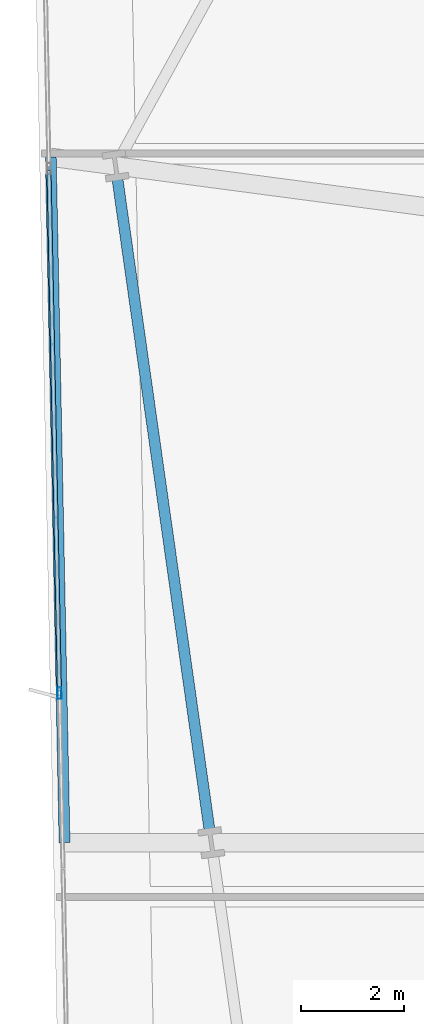
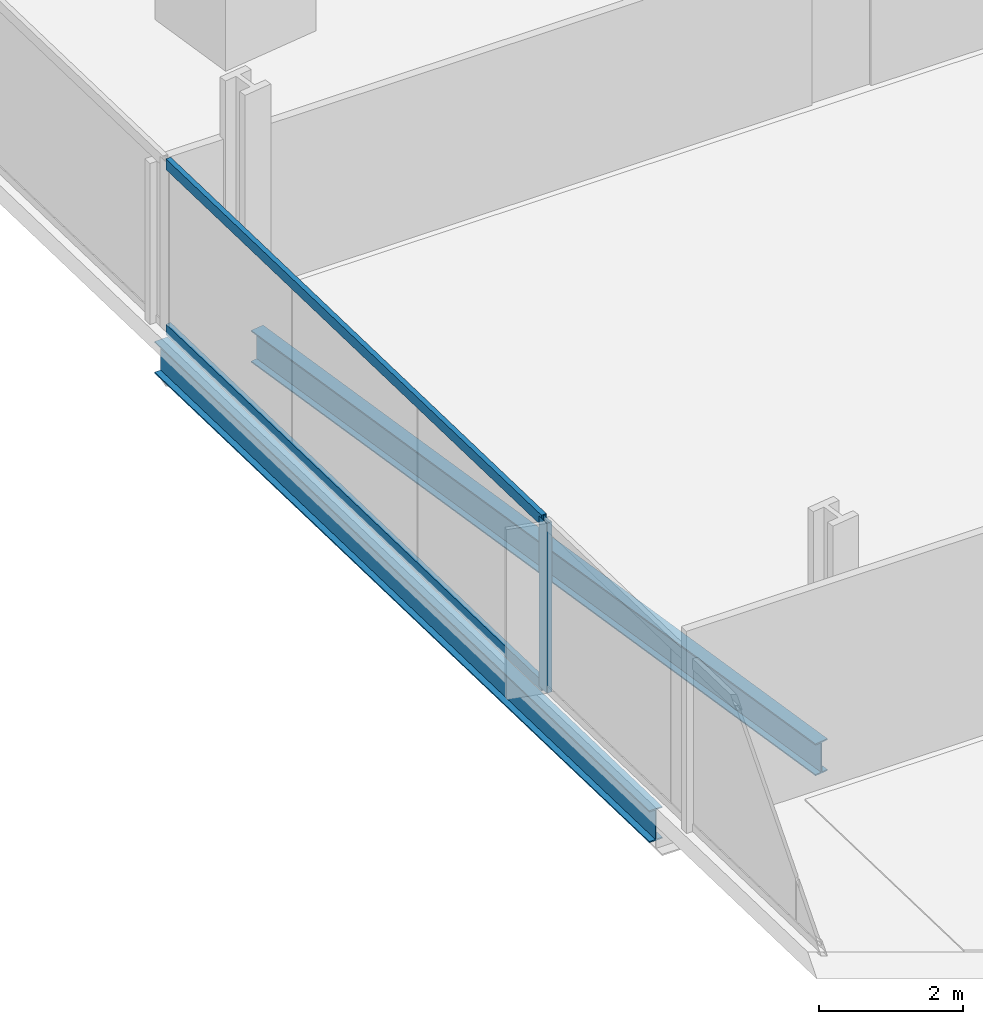
# One storey, part 8 of 35: 3 members, 2 beams, 1 element without a shape of its own.
"""IFC4 building model written with IfcOpenShell, lengths in metres."""

from ifc_helpers import new_model, si_unit, direction, frame, origin, origin_2d, place, context, subcontext, project, spatial, hollow_rectangle, i_section, extrude, material, material_profile, profile_set, type_object, element, aggregate, save


model = new_model("IFC4")

# Units and contexts
model_context = context("Model", 3, precision=1e-05, world=origin(), true_north=direction((0.0, 1.0)))
body_context = subcontext(model_context, "Body", "Model", "MODEL_VIEW")
ifc_project = project(units=[si_unit("LENGTHUNIT", "METRE"), si_unit("AREAUNIT", "SQUARE_METRE"), si_unit("VOLUMEUNIT", "CUBIC_METRE"), si_unit("PLANEANGLEUNIT", "RADIAN"), si_unit("MASSUNIT", "GRAM", prefix="KILO")], contexts=[model_context])

# Site, building, storey
site_placement = place(None, origin())
site = spatial("IfcSite", under=ifc_project, at=site_placement, CompositionType="ELEMENT")
building_placement = place(site_placement, origin())
building = spatial("IfcBuilding", under=site, at=building_placement, Name="Haldenkirk Collegiate Tower", CompositionType="ELEMENT")
storey_placement = place(building_placement, frame((0.0, 0.0, 32.699951171875)))
storey = spatial("IfcBuildingStorey", under=building, at=storey_placement, Name="L06", CompositionType="ELEMENT", Elevation=32.699951171875)

# Beams
ifc_material_1 = material(Name="Steel ASTM A992 Grade 50", Category="steel")
ifc_material_profile_1 = material_profile(ifc_material_1, i_section(OverallWidth=0.2119140625, OverallDepth=0.5439453125, WebThickness=0.01318359375, FlangeThickness=0.021240234375, at=origin_2d()), Name="W21X83")
ifc_profile_set_1 = profile_set([ifc_material_profile_1], Name="Steel ASTM A992 Grade 50")
beam_type = type_object("IfcBeamType", Name="BM-SPANDREL-W21X83", PredefinedType="SPANDREL", material=ifc_profile_set_1)
beam_1_placement = place(storey_placement, frame((10.30322265625, 35.951171875, -0.58203125), z_axis=(0.140049989419, -0.990144434143, 0.0), x_axis=(0.990144434143, 0.140049989419, 0.0)))
element("IfcBeam", 1, at=beam_1_placement, inside=storey, type_object=beam_type, Name="L06 perimeter spandrel beam 14", PredefinedType="SPANDREL", context=body_context, shape_type="SweptSolid", body=[
    extrude(i_section(OverallWidth=0.2119140625, OverallDepth=0.5439453125, WebThickness=0.01318359375, FlangeThickness=0.021240234375, at=origin_2d()), origin(), (0.0, 0.0, 1.0), 12.76220703125),
])
beam_2_placement = place(storey_placement, frame((9.006103515625, 36.379638671875, -0.58203125), z_axis=(0.020074362377, -0.999798489684, 0.0), x_axis=(0.999798489684, 0.020074362377, 0.0)))
element("IfcBeam", 2, at=beam_2_placement, inside=storey, type_object=beam_type, Name="L06 outer facade edge beam 4", PredefinedType="SPANDREL", context=body_context, shape_type="SweptSolid", body=[
    extrude(i_section(OverallWidth=0.2119140625, OverallDepth=0.5439453125, WebThickness=0.01318359375, FlangeThickness=0.021240234375, at=origin_2d()), origin(), (0.0, 0.0, 1.0), 13.329345703125),
])

# Curtain wall, members
ifc_material_2 = material(Name="Anodised architectural bronze aluminium", Category="aluminium")
curtain_wall_type = type_object("IfcCurtainWallType", Name="CW-SYS1-CONVEX-LOW", PredefinedType="USERDEFINED", material=ifc_material_2)
curtain_wall_placement = place(storey_placement, origin())
curtain_wall = element("IfcCurtainWall", 3, at=curtain_wall_placement, inside=storey, type_object=curtain_wall_type, Name="L06 Lower tower convex bronze-framed unitised curtain wall", ObjectType="UNITISED CURTAIN WALL", PredefinedType="USERDEFINED")
ifc_material_profile_2 = material_profile(ifc_material_2, hollow_rectangle(XDim=0.080078125, YDim=0.219970703125, WallThickness=0.0048828125, at=origin_2d()), Name="CW-MUL-1A")
ifc_profile_set_2 = profile_set([ifc_material_profile_2], Name="Anodised architectural bronze aluminium")
member_type_1 = type_object("IfcMemberType", Name="CW-MUL-1A", PredefinedType="MULLION", material=ifc_profile_set_2)
member_1_placement = place(storey_placement, frame((9.17529296875, 25.961669921875, 0.0), z_axis=(0.0, 0.0, 1.0), x_axis=(-0.999798604983, -0.020068619127, 0.0)))
member_1 = element("IfcMember", 4, at=member_1_placement, type_object=member_type_1, Name="CW-1A mullion 3", PredefinedType="MULLION", context=body_context, shape_type="SweptSolid", body=[
    extrude(hollow_rectangle(XDim=0.080078125, YDim=0.219970703125, WallThickness=0.0048828125, at=origin_2d()), origin(), (0.0, 0.0, 1.0), 2.89111328125),
])
ifc_material_profile_3 = material_profile(ifc_material_2, hollow_rectangle(XDim=0.080078125, YDim=0.179931640625, WallThickness=0.0048828125, at=origin_2d()), Name="CW-TRN-1A")
ifc_profile_set_3 = profile_set([ifc_material_profile_3], Name="Anodised architectural bronze aluminium")
member_type_2 = type_object("IfcMemberType", Name="CW-TRN-1A", PredefinedType="USERDEFINED", material=ifc_profile_set_3)
member_2_placement = place(storey_placement, frame((9.174560546875, 26.001708984375, 0.0400390625), z_axis=(-0.020071722306, 0.999798542689, 0.0), x_axis=(-0.999798542689, -0.020071722306, 0.0)))
member_2 = element("IfcMember", 5, at=member_2_placement, type_object=member_type_2, Name="CW-1A transom 3.1", ObjectType="TRANSOM", PredefinedType="USERDEFINED", context=body_context, shape_type="SweptSolid", body=[
    extrude(hollow_rectangle(XDim=0.080078125, YDim=0.179931640625, WallThickness=0.0048828125, at=origin_2d()), origin(), (0.0, 0.0, 1.0), 10.119873046875),
])
member_3_placement = place(storey_placement, frame((9.174560546875, 26.001708984375, 2.85107421875), z_axis=(-0.020071722306, 0.999798542689, 0.0), x_axis=(-0.999798542689, -0.020071722306, 0.0)))
member_3 = element("IfcMember", 6, at=member_3_placement, type_object=member_type_2, Name="CW-1A transom 3.2", ObjectType="TRANSOM", PredefinedType="USERDEFINED", context=body_context, shape_type="SweptSolid", body=[
    extrude(hollow_rectangle(XDim=0.080078125, YDim=0.179931640625, WallThickness=0.0048828125, at=origin_2d()), origin(), (0.0, 0.0, 1.0), 10.119873046875),
])
aggregate(curtain_wall, [member_1, member_2, member_3])

save(model, "model.ifc")
